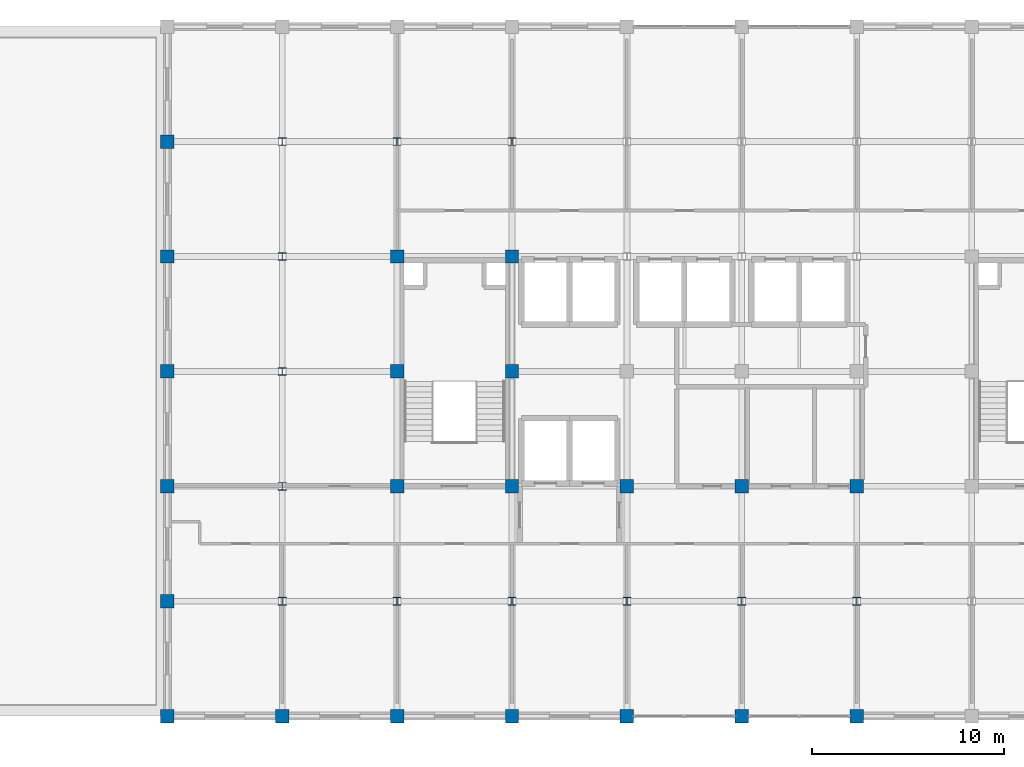
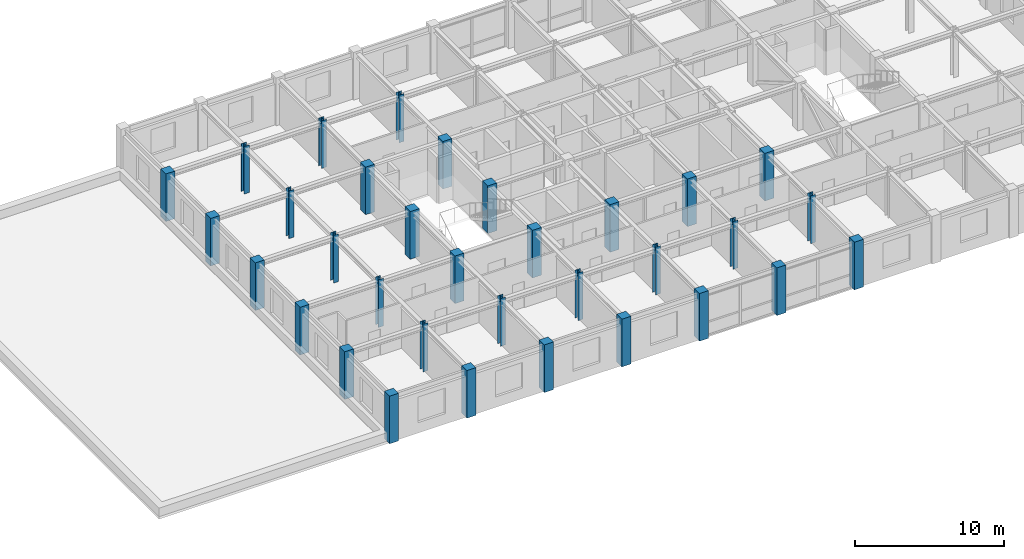
# One storey, part 1 of 13: 33 columns.
"""IFC4 building model written with IfcOpenShell, lengths in metres."""

from ifc_helpers import new_model, si_unit, direction, frame, origin, origin_2d, place, context, subcontext, project, spatial, rectangle, i_section, extrude, material, material_profile, profile_set, type_object, element, save


model = new_model("IFC4")

# Units and contexts
model_context = context("Model", 3, precision=1e-05, world=origin(), true_north=direction((0.0, 1.0)))
body_context = subcontext(model_context, "Body", "Model", "MODEL_VIEW")
ifc_project = project(units=[si_unit("LENGTHUNIT", "METRE"), si_unit("AREAUNIT", "SQUARE_METRE"), si_unit("VOLUMEUNIT", "CUBIC_METRE"), si_unit("PLANEANGLEUNIT", "RADIAN"), si_unit("MASSUNIT", "GRAM", prefix="KILO")], contexts=[model_context])

# Site, building, storey
site_placement = place(None, origin())
site = spatial("IfcSite", under=ifc_project, at=site_placement, CompositionType="ELEMENT")
building_placement = place(site_placement, origin())
building = spatial("IfcBuilding", under=site, at=building_placement, Name="Zlatovratsky Civic Hall", CompositionType="ELEMENT")
storey_placement = place(building_placement, frame((0.0, 0.0, 24.89990234375)))
storey = spatial("IfcBuildingStorey", under=building, at=storey_placement, Name="L06", CompositionType="ELEMENT", Elevation=24.89990234375)

# Columns
ifc_material_1 = material(Name="Concrete C35/45 (B40)", Category="concrete")
ifc_material_profile_1 = material_profile(ifc_material_1, rectangle(XDim=0.699951171875, YDim=0.699951171875, at=origin_2d()), Name="RC 700x700")
ifc_profile_set_1 = profile_set([ifc_material_profile_1], Name="Concrete C35/45 (B40)")
column_type_1 = type_object("IfcColumnType", Name="Col_CorePier_RC700", PredefinedType="COLUMN", material=ifc_profile_set_1)
for number, where, z_axis, x_axis, name in (
    (1, (54.0, 72.0, 0.0), (0.0, 0.0, 1.0), (1.0, 0.0, 0.0), "CL-2018"),
    (2, (60.0, 72.0, 0.0), (0.0, 0.0, 1.0), (1.0, 0.0, 0.0), "CL-2019"),
    (3, (66.0, 72.0, 0.0), (0.0, 0.0, 1.0), (1.0, 0.0, 0.0), "CL-2020"),
    (4, (72.0, 72.0, 0.0), (0.0, 0.0, 1.0), (1.0, 0.0, 0.0), "CL-2021"),
    (5, (78.0, 72.0, 0.0), (0.0, 0.0, 1.0), (1.0, 0.0, 0.0), "CL-2022"),
    (6, (84.0, 72.0, 0.0), (0.0, 0.0, 1.0), (1.0, 0.0, 0.0), "CL-2023"),
    (7, (90.0, 72.0, 0.0), (0.0, 0.0, 1.0), (1.0, 0.0, 0.0), "CL-2024"),
    (8, (54.0, 78.0, 0.0), (0.0, 0.0, 1.0), (1.0, 0.0, 0.0), "CL-2029"),
    (9, (54.0, 84.0, 0.0), (0.0, 0.0, 1.0), (1.0, 0.0, 0.0), "CL-2040"),
    (10, (66.0, 84.0, 0.0), (0.0, 0.0, 1.0), (1.0, 0.0, 0.0), "CL-2042"),
    (11, (72.0, 84.0, 0.0), (0.0, 0.0, 1.0), (1.0, 0.0, 0.0), "CL-2043"),
    (12, (78.0, 84.0, 0.0), (0.0, 0.0, 1.0), (1.0, 0.0, 0.0), "CL-2044"),
    (13, (84.0, 84.0, 0.0), (0.0, 0.0, 1.0), (1.0, 0.0, 0.0), "CL-2045"),
    (14, (90.0, 84.0, 0.0), (0.0, 0.0, 1.0), (1.0, 0.0, 0.0), "CL-2046"),
    (15, (54.0, 90.0, 0.0), (0.0, 0.0, 1.0), (1.0, 0.0, 0.0), "CL-2051"),
    (16, (66.0, 90.0, 0.0), (0.0, 0.0, 1.0), (1.0, 0.0, 0.0), "CL-2053"),
    (17, (72.0, 90.0, 0.0), (0.0, 0.0, 1.0), (1.0, 0.0, 0.0), "CL-2054"),
    (18, (54.0, 96.0, 0.0), (0.0, 0.0, 1.0), (1.0, 0.0, 0.0), "CL-2062"),
    (19, (66.0, 96.0, 0.0), (0.0, 0.0, 1.0), (1.0, 0.0, 0.0), "CL-2064"),
    (20, (72.0, 96.0, 0.0), (0.0, 0.0, 1.0), (1.0, 0.0, 0.0), "CL-2065"),
    (21, (54.0, 102.0, 0.0), (0.0, 0.0, 1.0), (1.0, 0.0, 0.0), "CL-2073"),
):
    element("IfcColumn", number, at=place(storey_placement, frame(where, z_axis=z_axis, x_axis=x_axis)), inside=storey, type_object=column_type_1, Name=name, PredefinedType="COLUMN", context=body_context, shape_type="SweptSolid", body=[
        extrude(rectangle(XDim=0.699951171875, YDim=0.699951171875, at=origin_2d()), origin(), (0.0, 0.0, 1.0), 3.900146484375),
    ])
ifc_material_2 = material(Name="Steel S355", Category="steel")
ifc_material_profile_2 = material_profile(ifc_material_2, i_section(OverallWidth=0.39990234375, OverallDepth=0.39990234375, WebThickness=0.012939453125, FlangeThickness=0.02099609375, FilletRadius=0.02197265625, at=origin_2d()), Name="40K2")
ifc_profile_set_2 = profile_set([ifc_material_profile_2], Name="Steel S355")
column_type_2 = type_object("IfcColumnType", Name="Col_Steel_40K2", PredefinedType="COLUMN", material=ifc_profile_set_2)
for number, where, z_axis, x_axis, name in (
    (22, (60.0, 78.0, 0.0), (0.0, 0.0, 1.0), (1.0, 0.0, 0.0), "CL-2030"),
    (23, (66.0, 78.0, 0.0), (0.0, 0.0, 1.0), (1.0, 0.0, 0.0), "CL-2031"),
    (24, (72.0, 78.0, 0.0), (0.0, 0.0, 1.0), (1.0, 0.0, 0.0), "CL-2032"),
    (25, (78.0, 78.0, 0.0), (0.0, 0.0, 1.0), (1.0, 0.0, 0.0), "CL-2033"),
    (26, (84.0, 78.0, 0.0), (0.0, 0.0, 1.0), (1.0, 0.0, 0.0), "CL-2034"),
    (27, (90.0, 78.0, 0.0), (0.0, 0.0, 1.0), (1.0, 0.0, 0.0), "CL-2035"),
    (28, (60.0, 84.0, 0.0), (0.0, 0.0, 1.0), (1.0, 0.0, 0.0), "CL-2041"),
    (29, (60.0, 90.0, 0.0), (0.0, 0.0, 1.0), (1.0, 0.0, 0.0), "CL-2052"),
    (30, (60.0, 96.0, 0.0), (0.0, 0.0, 1.0), (1.0, 0.0, 0.0), "CL-2063"),
    (31, (60.0, 102.0, 0.0), (0.0, 0.0, 1.0), (1.0, 0.0, 0.0), "CL-2074"),
    (32, (66.0, 102.0, 0.0), (0.0, 0.0, 1.0), (1.0, 0.0, 0.0), "CL-2075"),
    (33, (72.0, 102.0, 0.0), (0.0, 0.0, 1.0), (1.0, 0.0, 0.0), "CL-2076"),
):
    element("IfcColumn", number, at=place(storey_placement, frame(where, z_axis=z_axis, x_axis=x_axis)), inside=storey, type_object=column_type_2, Name=name, PredefinedType="COLUMN", context=body_context, shape_type="SweptSolid", body=[
        extrude(i_section(OverallWidth=0.39990234375, OverallDepth=0.39990234375, WebThickness=0.012939453125, FlangeThickness=0.02099609375, FilletRadius=0.02197265625, at=origin_2d()), origin(), (0.0, 0.0, 1.0), 3.900146484375),
    ])

save(model, "model.ifc")
